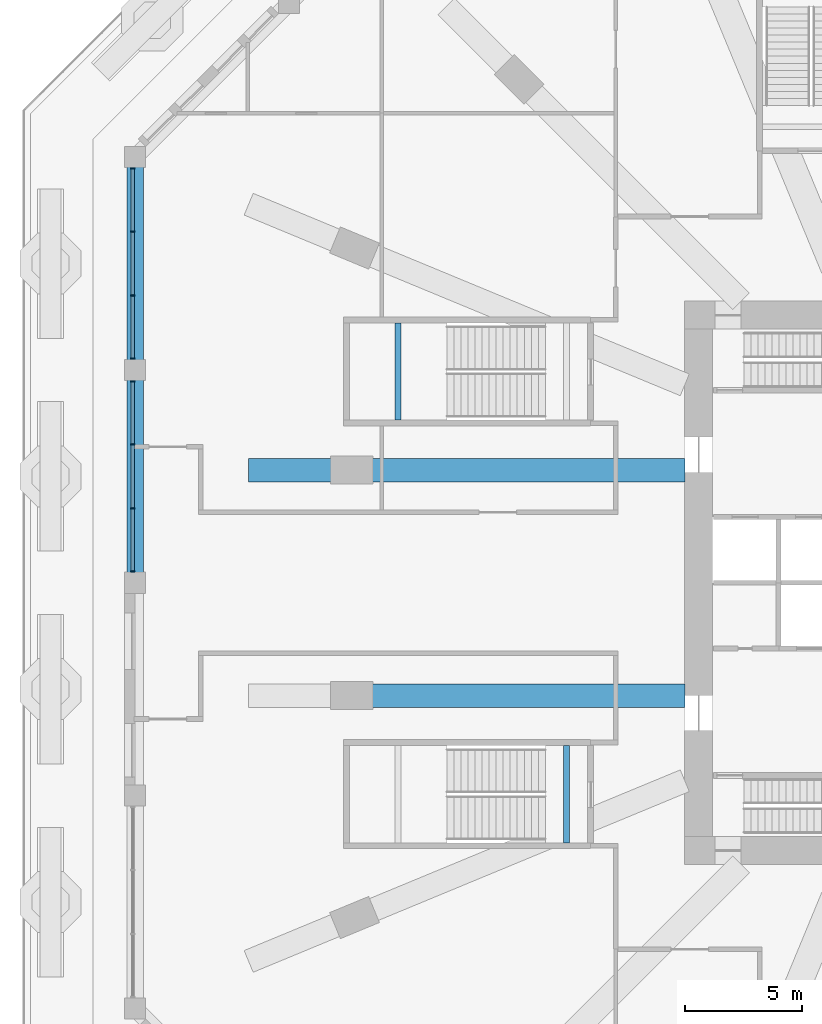
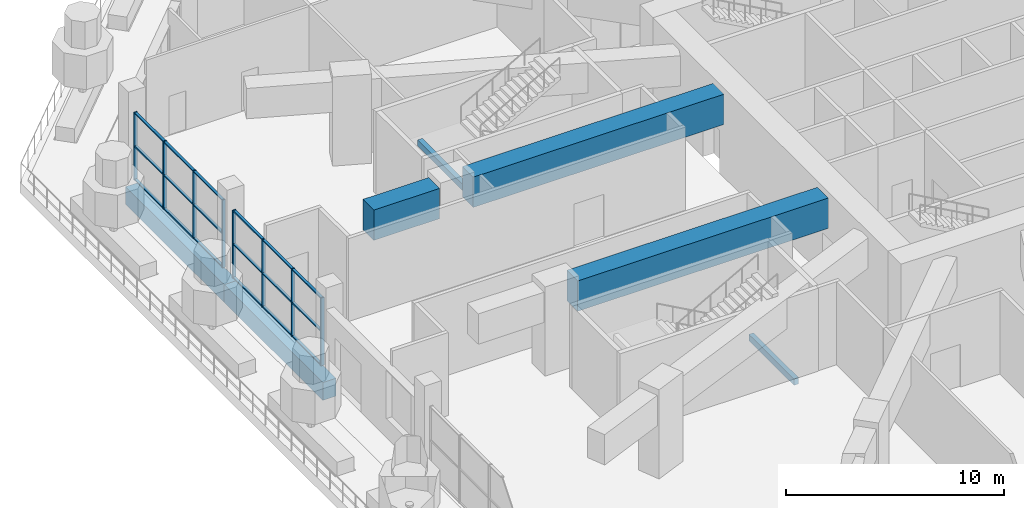
# One storey, part 6 of 25: 26 members, 7 beams, 2 elements without a shape of their own.
"""IFC4 building model written with IfcOpenShell, lengths in metres."""

from ifc_helpers import new_model, si_unit, direction, frame, origin, origin_2d, place, context, subcontext, project, spatial, rectangle, extrude, material, material_profile, profile_set, type_object, element, aggregate, save


model = new_model("IFC4")

# Units and contexts
model_context = context("Model", 3, precision=1e-05, world=origin(), true_north=direction((0.0, 1.0)))
body_context = subcontext(model_context, "Body", "Model", "MODEL_VIEW")
ifc_project = project(units=[si_unit("LENGTHUNIT", "METRE"), si_unit("AREAUNIT", "SQUARE_METRE"), si_unit("VOLUMEUNIT", "CUBIC_METRE"), si_unit("PLANEANGLEUNIT", "RADIAN"), si_unit("MASSUNIT", "GRAM", prefix="KILO")], contexts=[model_context])

# Site, building, storey
site_placement = place(None, origin())
site = spatial("IfcSite", under=ifc_project, at=site_placement, CompositionType="ELEMENT")
building_placement = place(site_placement, origin())
building = spatial("IfcBuilding", under=site, at=building_placement, Name="Msitu Wima Residences", CompositionType="ELEMENT")
storey_placement = place(building_placement, frame((0.0, 0.0, 11.0)))
storey = spatial("IfcBuildingStorey", under=building, at=storey_placement, Name="L02", CompositionType="ELEMENT", Elevation=11.0)

# Beams
ifc_material_1 = material(Name="Concrete C40/50", Category="concrete")
ifc_material_profile_1 = material_profile(ifc_material_1, rectangle(XDim=0.25, YDim=0.35009765625, at=origin_2d()), Name="RC 250x350")
ifc_profile_set_1 = profile_set([ifc_material_profile_1], Name="Concrete C40/50")
beam_type_1 = type_object("IfcBeamType", Name="Landing beam RC 250x350", PredefinedType="BEAM", material=ifc_profile_set_1)
for number, where, z_axis, x_axis, name in (
    (1, (-19.425048828125, -6.925048828125, -0.375), (0.0, -1.0, 0.0), (1.0, 0.0, 0.0), "Podium exit stair 5 floor landing beam"),
    (2, (-26.60009765625, 6.925048828125, 2.125), (0.0, 1.0, 0.0), (-1.0, 0.0, 0.0), "Podium exit stair 6 landing beam"),
):
    element("IfcBeam", number, at=place(storey_placement, frame(where, z_axis=z_axis, x_axis=x_axis)), inside=storey, type_object=beam_type_1, Name=name, PredefinedType="BEAM", context=body_context, shape_type="SweptSolid", body=[
        extrude(rectangle(XDim=0.25, YDim=0.35009765625, at=origin_2d()), origin(), (0.0, 0.0, 1.0), 4.14990234375),
    ])

# Curtain wall, members
ifc_material_2 = material(Name="Anodised aluminium, bronze finish, clear low-emissivity double glazing", Category="aluminium")
curtain_wall_type = type_object("IfcCurtainWallType", Name="Curtain wall CW6 podium winter garden", PredefinedType="NOTDEFINED", material=ifc_material_2)
curtain_wall_1_placement = place(storey_placement, origin())
curtain_wall_1 = element("IfcCurtainWall", 3, at=curtain_wall_1_placement, inside=storey, type_object=curtain_wall_type, Name="Curtain wall CW6 L02 W0", PredefinedType="NOTDEFINED")
ifc_material_3 = material(Name="Anodised aluminium, bronze finish", Category="aluminium")
ifc_material_profile_2 = material_profile(ifc_material_3, rectangle(XDim=0.179931640625, YDim=0.06494140625, at=origin_2d()), Name="Mullion 65x180")
ifc_profile_set_2 = profile_set([ifc_material_profile_2], Name="Anodised aluminium, bronze finish")
member_type_1 = type_object("IfcMemberType", Name="Mullion CW6 65x180", PredefinedType="MULLION", material=ifc_profile_set_2)
member_1_placement = place(storey_placement, frame((-37.89990234375, 17.6455078125, 0.0), z_axis=(0.0, 0.0, 1.0), x_axis=(1.0, 0.0, 0.0)))
member_1 = element("IfcMember", 4, at=member_1_placement, type_object=member_type_1, Name="CW6 mullion 1", PredefinedType="MULLION", context=body_context, shape_type="SweptSolid", body=[
    extrude(rectangle(XDim=0.179931640625, YDim=0.06494140625, at=origin_2d()), origin(), (0.0, 0.0, 1.0), 3.800048828125),
])
member_2_placement = place(storey_placement, frame((-37.89990234375, 14.95654296875, 0.0), z_axis=(0.0, 0.0, 1.0), x_axis=(1.0, 0.0, 0.0)))
member_2 = element("IfcMember", 5, at=member_2_placement, type_object=member_type_1, Name="CW6 mullion 2", PredefinedType="MULLION", context=body_context, shape_type="SweptSolid", body=[
    extrude(rectangle(XDim=0.179931640625, YDim=0.06494140625, at=origin_2d()), origin(), (0.0, 0.0, 1.0), 3.800048828125),
])
member_3_placement = place(storey_placement, frame((-37.89990234375, 12.2353515625, 0.0), z_axis=(0.0, 0.0, 1.0), x_axis=(1.0, 0.0, 0.0)))
member_3 = element("IfcMember", 6, at=member_3_placement, type_object=member_type_1, Name="CW6 mullion 3", PredefinedType="MULLION", context=body_context, shape_type="SweptSolid", body=[
    extrude(rectangle(XDim=0.179931640625, YDim=0.06494140625, at=origin_2d()), origin(), (0.0, 0.0, 1.0), 3.800048828125),
])
member_4_placement = place(storey_placement, frame((-37.89990234375, 9.54638671875, 0.0), z_axis=(0.0, 0.0, 1.0), x_axis=(1.0, 0.0, 0.0)))
member_4 = element("IfcMember", 7, at=member_4_placement, type_object=member_type_1, Name="CW6 mullion 4", PredefinedType="MULLION", context=body_context, shape_type="SweptSolid", body=[
    extrude(rectangle(XDim=0.179931640625, YDim=0.06494140625, at=origin_2d()), origin(), (0.0, 0.0, 1.0), 3.800048828125),
])

curtain_wall_2_placement = place(storey_placement, origin())
curtain_wall_2 = element("IfcCurtainWall", 8, at=curtain_wall_2_placement, inside=storey, type_object=curtain_wall_type, Name="Curtain wall CW6 L02 W1", PredefinedType="NOTDEFINED")
member_5_placement = place(storey_placement, frame((-37.89990234375, 8.58154296875, 0.0), z_axis=(0.0, 0.0, 1.0), x_axis=(1.0, 0.0, 0.0)))
member_5 = element("IfcMember", 9, at=member_5_placement, type_object=member_type_1, Name="CW6 mullion 1", PredefinedType="MULLION", context=body_context, shape_type="SweptSolid", body=[
    extrude(rectangle(XDim=0.179931640625, YDim=0.06494140625, at=origin_2d()), origin(), (0.0, 0.0, 1.0), 3.800048828125),
])
member_6_placement = place(storey_placement, frame((-37.89990234375, 5.892578125, 0.0), z_axis=(0.0, 0.0, 1.0), x_axis=(1.0, 0.0, 0.0)))
member_6 = element("IfcMember", 10, at=member_6_placement, type_object=member_type_1, Name="CW6 mullion 2", PredefinedType="MULLION", context=body_context, shape_type="SweptSolid", body=[
    extrude(rectangle(XDim=0.179931640625, YDim=0.06494140625, at=origin_2d()), origin(), (0.0, 0.0, 1.0), 3.800048828125),
])
member_7_placement = place(storey_placement, frame((-37.89990234375, 3.17138671875, 0.0), z_axis=(0.0, 0.0, 1.0), x_axis=(1.0, 0.0, 0.0)))
member_7 = element("IfcMember", 11, at=member_7_placement, type_object=member_type_1, Name="CW6 mullion 3", PredefinedType="MULLION", context=body_context, shape_type="SweptSolid", body=[
    extrude(rectangle(XDim=0.179931640625, YDim=0.06494140625, at=origin_2d()), origin(), (0.0, 0.0, 1.0), 3.800048828125),
])
member_8_placement = place(storey_placement, frame((-37.89990234375, 0.482421875, 0.0), z_axis=(0.0, 0.0, 1.0), x_axis=(1.0, 0.0, 0.0)))
member_8 = element("IfcMember", 12, at=member_8_placement, type_object=member_type_1, Name="CW6 mullion 4", PredefinedType="MULLION", context=body_context, shape_type="SweptSolid", body=[
    extrude(rectangle(XDim=0.179931640625, YDim=0.06494140625, at=origin_2d()), origin(), (0.0, 0.0, 1.0), 3.800048828125),
])

# Beams
ifc_material_4 = material(Name="Concrete C60/75", Category="concrete")
ifc_material_profile_3 = material_profile(ifc_material_4, rectangle(XDim=1.0, YDim=1.699951171875, at=origin_2d()), Name="RC 1000x1700")
ifc_profile_set_3 = profile_set([ifc_material_profile_3], Name="Concrete C60/75")
beam_type_2 = type_object("IfcBeamType", Name="Podium cantilever girder RC 1000x1700 Concrete C60/75", PredefinedType="BEAM", material=ifc_profile_set_3)
for number, where, z_axis, x_axis, name in (
    (13, (-14.387939453125, 4.800048828125, 3.800048828125), (-1.0, 0.0, 0.0), (0.0, -1.0, 0.0), "Podium cantilever girder L03 C-W1 back-span"),
    (14, (-14.387939453125, -4.800048828125, 3.800048828125), (-1.0, 0.0, 0.0), (0.0, -1.0, 0.0), "Podium cantilever girder L03 C-W2 back-span"),
):
    element("IfcBeam", number, at=place(storey_placement, frame(where, z_axis=z_axis, x_axis=x_axis)), inside=storey, type_object=beam_type_2, Name=name, PredefinedType="BEAM", context=body_context, shape_type="SweptSolid", body=[
        extrude(rectangle(XDim=1.0, YDim=1.699951171875, at=origin_2d()), origin(), (0.0, 0.0, 1.0), 13.299072265625),
    ])
ifc_material_profile_4 = material_profile(ifc_material_4, rectangle(XDim=1.0, YDim=1.699951171875, at=origin_2d()), Name="RC 1000x1700")
ifc_profile_set_4 = profile_set([ifc_material_profile_4], Name="Concrete C60/75")
beam_type_3 = type_object("IfcBeamType", Name="Podium cantilever girder tip RC 1000x1700 Concrete C60/75", PredefinedType="BEAM", material=ifc_profile_set_4)
beam_placement = place(storey_placement, frame((-29.462890625, 4.800048828125, 3.800048828125), z_axis=(-1.0, 0.0, 0.0), x_axis=(0.0, -1.0, 0.0)))
element("IfcBeam", 15, at=beam_placement, inside=storey, type_object=beam_type_3, Name="Podium cantilever girder L03 C-W1 cantilever", PredefinedType="BEAM", context=body_context, shape_type="SweptSolid", body=[
    extrude(rectangle(XDim=1.0, YDim=1.699951171875, at=origin_2d()), origin(), (0.0, 0.0, 1.0), 3.4990234375),
])
ifc_material_profile_5 = material_profile(ifc_material_4, rectangle(XDim=0.699951171875, YDim=1.0, at=origin_2d()), Name="RC 700x1000")
ifc_profile_set_5 = profile_set([ifc_material_profile_5], Name="Concrete C60/75")
beam_type_4 = type_object("IfcBeamType", Name="Terrace beam RC 700x1000 Concrete C60/75", PredefinedType="BEAM", material=ifc_profile_set_5)
for number, where, z_axis, x_axis, name in (
    (16, (-37.800048828125, 18.1279296875, -1.10009765625), (0.0, -1.0, 0.0), (1.0, 0.0, 0.0), "Terrace upstand-line beam L02 C-W0"),
    (17, (-37.800048828125, 9.06396484375, -1.10009765625), (0.0, -1.0, 0.0), (1.0, 0.0, 0.0), "Terrace upstand-line beam L02 C-W1"),
):
    element("IfcBeam", number, at=place(storey_placement, frame(where, z_axis=z_axis, x_axis=x_axis)), inside=storey, type_object=beam_type_4, Name=name, PredefinedType="BEAM", context=body_context, shape_type="SweptSolid", body=[
        extrude(rectangle(XDim=0.699951171875, YDim=1.0, at=origin_2d()), origin(), (0.0, 0.0, 1.0), 9.06396484375),
    ])

# Member
ifc_material_profile_6 = material_profile(ifc_material_3, rectangle(XDim=0.139892578125, YDim=0.06494140625, at=origin_2d()), Name="Transom 65x140")
ifc_profile_set_6 = profile_set([ifc_material_profile_6], Name="Anodised aluminium, bronze finish")
member_type_2 = type_object("IfcMemberType", Name="Transom CW6 65x140", PredefinedType="USERDEFINED", material=ifc_profile_set_6)
member_9_placement = place(storey_placement, frame((-37.89990234375, 17.613037109375, 0.032470703125), z_axis=(0.0, -1.0, 0.0), x_axis=(1.0, 0.0, 0.0)))
member_9 = element("IfcMember", 18, at=member_9_placement, type_object=member_type_2, Name="CW6 transom 1.1", ObjectType="TRANSOM", PredefinedType="USERDEFINED", context=body_context, shape_type="SweptSolid", body=[
    extrude(rectangle(XDim=0.139892578125, YDim=0.06494140625, at=origin_2d()), origin(), (0.0, 0.0, 1.0), 2.6240234375),
])

member_10_placement = place(storey_placement, frame((-37.89990234375, 17.613037109375, 1.89990234375), z_axis=(0.0, -1.0, 0.0), x_axis=(1.0, 0.0, 0.0)))
member_10 = element("IfcMember", 19, at=member_10_placement, type_object=member_type_2, Name="CW6 transom 1.2", ObjectType="TRANSOM", PredefinedType="USERDEFINED", context=body_context, shape_type="SweptSolid", body=[
    extrude(rectangle(XDim=0.139892578125, YDim=0.06494140625, at=origin_2d()), origin(), (0.0, 0.0, 1.0), 2.6240234375),
])

member_11_placement = place(storey_placement, frame((-37.89990234375, 17.613037109375, 3.767578125), z_axis=(0.0, -1.0, 0.0), x_axis=(1.0, 0.0, 0.0)))
member_11 = element("IfcMember", 20, at=member_11_placement, type_object=member_type_2, Name="CW6 transom 1.3", ObjectType="TRANSOM", PredefinedType="USERDEFINED", context=body_context, shape_type="SweptSolid", body=[
    extrude(rectangle(XDim=0.139892578125, YDim=0.06494140625, at=origin_2d()), origin(), (0.0, 0.0, 1.0), 2.6240234375),
])

member_12_placement = place(storey_placement, frame((-37.89990234375, 14.924072265625, 0.032470703125), z_axis=(0.0, -1.0, 0.0), x_axis=(1.0, 0.0, 0.0)))
member_12 = element("IfcMember", 21, at=member_12_placement, type_object=member_type_2, Name="CW6 transom 2.1", ObjectType="TRANSOM", PredefinedType="USERDEFINED", context=body_context, shape_type="SweptSolid", body=[
    extrude(rectangle(XDim=0.139892578125, YDim=0.06494140625, at=origin_2d()), origin(), (0.0, 0.0, 1.0), 2.65625),
])

member_13_placement = place(storey_placement, frame((-37.89990234375, 14.924072265625, 1.89990234375), z_axis=(0.0, -1.0, 0.0), x_axis=(1.0, 0.0, 0.0)))
member_13 = element("IfcMember", 22, at=member_13_placement, type_object=member_type_2, Name="CW6 transom 2.2", ObjectType="TRANSOM", PredefinedType="USERDEFINED", context=body_context, shape_type="SweptSolid", body=[
    extrude(rectangle(XDim=0.139892578125, YDim=0.06494140625, at=origin_2d()), origin(), (0.0, 0.0, 1.0), 2.65625),
])

member_14_placement = place(storey_placement, frame((-37.89990234375, 14.924072265625, 3.767578125), z_axis=(0.0, -1.0, 0.0), x_axis=(1.0, 0.0, 0.0)))
member_14 = element("IfcMember", 23, at=member_14_placement, type_object=member_type_2, Name="CW6 transom 2.3", ObjectType="TRANSOM", PredefinedType="USERDEFINED", context=body_context, shape_type="SweptSolid", body=[
    extrude(rectangle(XDim=0.139892578125, YDim=0.06494140625, at=origin_2d()), origin(), (0.0, 0.0, 1.0), 2.65625),
])

member_15_placement = place(storey_placement, frame((-37.89990234375, 12.202880859375, 0.032470703125), z_axis=(0.0, -1.0, 0.0), x_axis=(1.0, 0.0, 0.0)))
member_15 = element("IfcMember", 24, at=member_15_placement, type_object=member_type_2, Name="CW6 transom 3.1", ObjectType="TRANSOM", PredefinedType="USERDEFINED", context=body_context, shape_type="SweptSolid", body=[
    extrude(rectangle(XDim=0.139892578125, YDim=0.06494140625, at=origin_2d()), origin(), (0.0, 0.0, 1.0), 2.6240234375),
])

member_16_placement = place(storey_placement, frame((-37.89990234375, 12.202880859375, 1.89990234375), z_axis=(0.0, -1.0, 0.0), x_axis=(1.0, 0.0, 0.0)))
member_16 = element("IfcMember", 25, at=member_16_placement, type_object=member_type_2, Name="CW6 transom 3.2", ObjectType="TRANSOM", PredefinedType="USERDEFINED", context=body_context, shape_type="SweptSolid", body=[
    extrude(rectangle(XDim=0.139892578125, YDim=0.06494140625, at=origin_2d()), origin(), (0.0, 0.0, 1.0), 2.6240234375),
])

member_17_placement = place(storey_placement, frame((-37.89990234375, 12.202880859375, 3.767578125), z_axis=(0.0, -1.0, 0.0), x_axis=(1.0, 0.0, 0.0)))
member_17 = element("IfcMember", 26, at=member_17_placement, type_object=member_type_2, Name="CW6 transom 3.3", ObjectType="TRANSOM", PredefinedType="USERDEFINED", context=body_context, shape_type="SweptSolid", body=[
    extrude(rectangle(XDim=0.139892578125, YDim=0.06494140625, at=origin_2d()), origin(), (0.0, 0.0, 1.0), 2.6240234375),
])

aggregate(curtain_wall_1, [member_1, member_2, member_3, member_4, member_9, member_10, member_11, member_12, member_13, member_14, member_15, member_16, member_17])

member_18_placement = place(storey_placement, frame((-37.89990234375, 8.549072265625, 0.032470703125), z_axis=(0.0, -1.0, 0.0), x_axis=(1.0, 0.0, 0.0)))
member_18 = element("IfcMember", 27, at=member_18_placement, type_object=member_type_2, Name="CW6 transom 1.1", ObjectType="TRANSOM", PredefinedType="USERDEFINED", context=body_context, shape_type="SweptSolid", body=[
    extrude(rectangle(XDim=0.139892578125, YDim=0.06494140625, at=origin_2d()), origin(), (0.0, 0.0, 1.0), 2.6240234375),
])

member_19_placement = place(storey_placement, frame((-37.89990234375, 8.549072265625, 1.89990234375), z_axis=(0.0, -1.0, 0.0), x_axis=(1.0, 0.0, 0.0)))
member_19 = element("IfcMember", 28, at=member_19_placement, type_object=member_type_2, Name="CW6 transom 1.2", ObjectType="TRANSOM", PredefinedType="USERDEFINED", context=body_context, shape_type="SweptSolid", body=[
    extrude(rectangle(XDim=0.139892578125, YDim=0.06494140625, at=origin_2d()), origin(), (0.0, 0.0, 1.0), 2.6240234375),
])

member_20_placement = place(storey_placement, frame((-37.89990234375, 8.549072265625, 3.767578125), z_axis=(0.0, -1.0, 0.0), x_axis=(1.0, 0.0, 0.0)))
member_20 = element("IfcMember", 29, at=member_20_placement, type_object=member_type_2, Name="CW6 transom 1.3", ObjectType="TRANSOM", PredefinedType="USERDEFINED", context=body_context, shape_type="SweptSolid", body=[
    extrude(rectangle(XDim=0.139892578125, YDim=0.06494140625, at=origin_2d()), origin(), (0.0, 0.0, 1.0), 2.6240234375),
])

member_21_placement = place(storey_placement, frame((-37.89990234375, 5.860107421875, 0.032470703125), z_axis=(0.0, -1.0, 0.0), x_axis=(1.0, 0.0, 0.0)))
member_21 = element("IfcMember", 30, at=member_21_placement, type_object=member_type_2, Name="CW6 transom 2.1", ObjectType="TRANSOM", PredefinedType="USERDEFINED", context=body_context, shape_type="SweptSolid", body=[
    extrude(rectangle(XDim=0.139892578125, YDim=0.06494140625, at=origin_2d()), origin(), (0.0, 0.0, 1.0), 2.65625),
])

member_22_placement = place(storey_placement, frame((-37.89990234375, 5.860107421875, 1.89990234375), z_axis=(0.0, -1.0, 0.0), x_axis=(1.0, 0.0, 0.0)))
member_22 = element("IfcMember", 31, at=member_22_placement, type_object=member_type_2, Name="CW6 transom 2.2", ObjectType="TRANSOM", PredefinedType="USERDEFINED", context=body_context, shape_type="SweptSolid", body=[
    extrude(rectangle(XDim=0.139892578125, YDim=0.06494140625, at=origin_2d()), origin(), (0.0, 0.0, 1.0), 2.65625),
])

member_23_placement = place(storey_placement, frame((-37.89990234375, 5.860107421875, 3.767578125), z_axis=(0.0, -1.0, 0.0), x_axis=(1.0, 0.0, 0.0)))
member_23 = element("IfcMember", 32, at=member_23_placement, type_object=member_type_2, Name="CW6 transom 2.3", ObjectType="TRANSOM", PredefinedType="USERDEFINED", context=body_context, shape_type="SweptSolid", body=[
    extrude(rectangle(XDim=0.139892578125, YDim=0.06494140625, at=origin_2d()), origin(), (0.0, 0.0, 1.0), 2.65625),
])

member_24_placement = place(storey_placement, frame((-37.89990234375, 3.138916015625, 0.032470703125), z_axis=(0.0, -1.0, 0.0), x_axis=(1.0, 0.0, 0.0)))
member_24 = element("IfcMember", 33, at=member_24_placement, type_object=member_type_2, Name="CW6 transom 3.1", ObjectType="TRANSOM", PredefinedType="USERDEFINED", context=body_context, shape_type="SweptSolid", body=[
    extrude(rectangle(XDim=0.139892578125, YDim=0.06494140625, at=origin_2d()), origin(), (0.0, 0.0, 1.0), 2.6240234375),
])

member_25_placement = place(storey_placement, frame((-37.89990234375, 3.138916015625, 1.89990234375), z_axis=(0.0, -1.0, 0.0), x_axis=(1.0, 0.0, 0.0)))
member_25 = element("IfcMember", 34, at=member_25_placement, type_object=member_type_2, Name="CW6 transom 3.2", ObjectType="TRANSOM", PredefinedType="USERDEFINED", context=body_context, shape_type="SweptSolid", body=[
    extrude(rectangle(XDim=0.139892578125, YDim=0.06494140625, at=origin_2d()), origin(), (0.0, 0.0, 1.0), 2.6240234375),
])

member_26_placement = place(storey_placement, frame((-37.89990234375, 3.138916015625, 3.767578125), z_axis=(0.0, -1.0, 0.0), x_axis=(1.0, 0.0, 0.0)))
member_26 = element("IfcMember", 35, at=member_26_placement, type_object=member_type_2, Name="CW6 transom 3.3", ObjectType="TRANSOM", PredefinedType="USERDEFINED", context=body_context, shape_type="SweptSolid", body=[
    extrude(rectangle(XDim=0.139892578125, YDim=0.06494140625, at=origin_2d()), origin(), (0.0, 0.0, 1.0), 2.6240234375),
])

aggregate(curtain_wall_2, [member_5, member_6, member_7, member_8, member_18, member_19, member_20, member_21, member_22, member_23, member_24, member_25, member_26])

save(model, "model.ifc")
